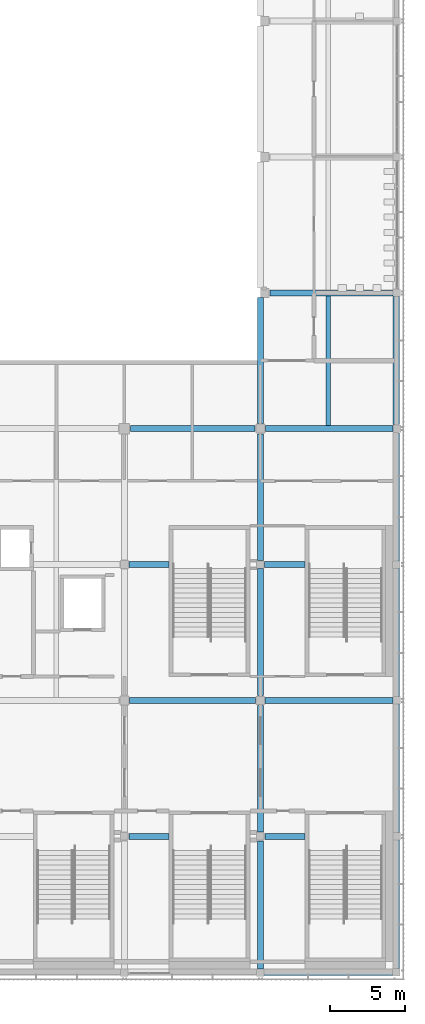
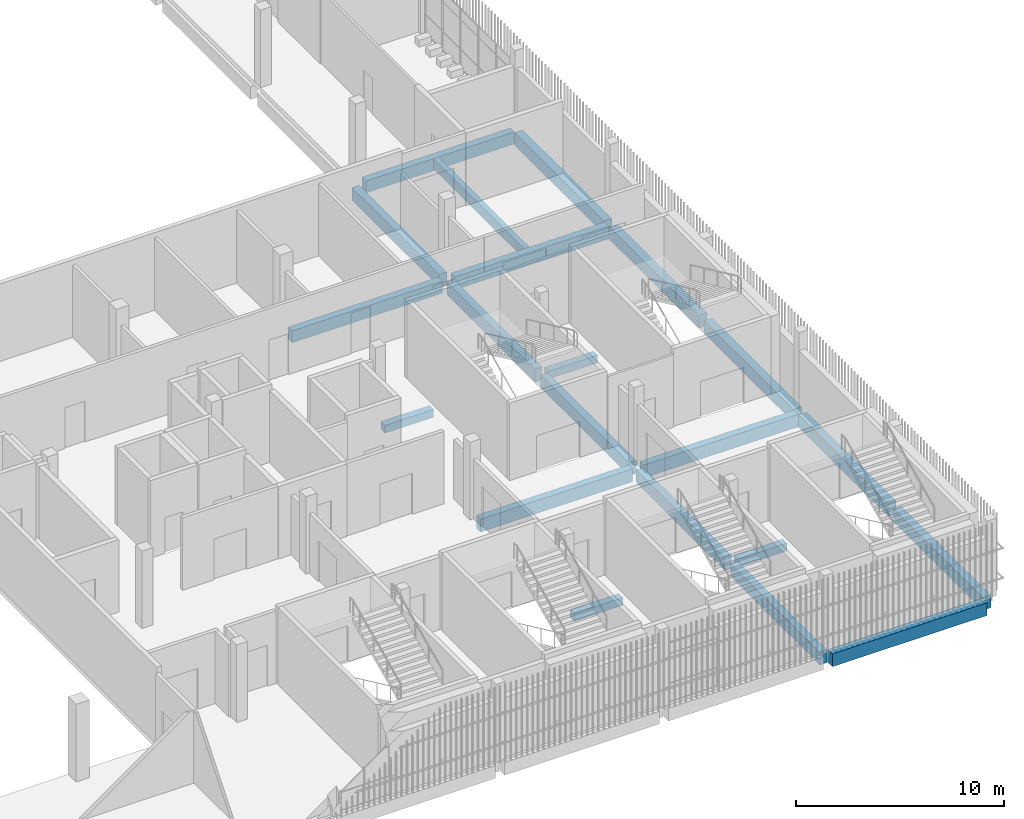
# One storey, part 51 of 124: 21 beams.
"""IFC4 building model written with IfcOpenShell, lengths in metres."""

from ifc_helpers import new_model, si_unit, direction, frame, origin, origin_2d, place, context, subcontext, project, spatial, rectangle, extrude, material, material_profile, profile_set, type_object, element, save


model = new_model("IFC4")

# Units and contexts
model_context = context("Model", 3, precision=1e-05, world=origin(), true_north=direction((0.0, 1.0)))
body_context = subcontext(model_context, "Body", "Model", "MODEL_VIEW")
ifc_project = project(units=[si_unit("LENGTHUNIT", "METRE"), si_unit("AREAUNIT", "SQUARE_METRE"), si_unit("VOLUMEUNIT", "CUBIC_METRE"), si_unit("PLANEANGLEUNIT", "RADIAN"), si_unit("MASSUNIT", "GRAM", prefix="KILO")], contexts=[model_context])

# Site, building, storey
site_placement = place(None, origin())
site = spatial("IfcSite", under=ifc_project, at=site_placement, CompositionType="ELEMENT")
building_placement = place(site_placement, origin())
building = spatial("IfcBuilding", under=site, at=building_placement, Name="Shirokan Park Arena", CompositionType="ELEMENT")
storey_placement = place(building_placement, frame((0.0, 0.0, 20.02001953125)))
storey = spatial("IfcBuildingStorey", under=building, at=storey_placement, Name="L04", CompositionType="ELEMENT", Elevation=20.02001953125)

# Beams
ifc_material = material(Name="Concrete C35", Category="concrete")
ifc_material_profile_1 = material_profile(ifc_material, rectangle(XDim=0.39990234375, YDim=0.699951171875, at=origin_2d()), Name="400x700")
ifc_profile_set_1 = profile_set([ifc_material_profile_1], Name="Concrete C35")
beam_type_1 = type_object("IfcBeamType", Name="RC girder 400x700", PredefinedType="BEAM", material=ifc_profile_set_1)
beam_1_placement = place(storey_placement, frame((127.800048828125, 36.39990234375, -0.60009765625), z_axis=(1.0, 0.0, 0.0), x_axis=(0.0, 1.0, 0.0)))
element("IfcBeam", 1, at=beam_1_placement, inside=storey, type_object=beam_type_1, Name="Girder 15E-16E L04", PredefinedType="BEAM", context=body_context, shape_type="SweptSolid", body=[
    extrude(rectangle(XDim=0.39990234375, YDim=0.699951171875, at=origin_2d()), origin(), (0.0, 0.0, 1.0), 8.349853515625),
])
beam_2_placement = place(storey_placement, frame((137.150146484375, 45.5, -0.60009765625), z_axis=(1.0, 0.0, 0.0), x_axis=(0.0, 1.0, 0.0)))
element("IfcBeam", 2, at=beam_2_placement, inside=storey, type_object=beam_type_1, Name="Girder 16F-17F L04", PredefinedType="BEAM", context=body_context, shape_type="SweptSolid", body=[
    extrude(rectangle(XDim=0.39990234375, YDim=0.699951171875, at=origin_2d()), origin(), (0.0, 0.0, 1.0), 8.249755859375),
])
ifc_material_profile_2 = material_profile(ifc_material, rectangle(XDim=0.39990234375, YDim=0.75, at=origin_2d()), Name="400x750")
ifc_profile_set_2 = profile_set([ifc_material_profile_2], Name="Concrete C35")
beam_type_2 = type_object("IfcBeamType", Name="RC girder 400x750", PredefinedType="BEAM", material=ifc_profile_set_2)
beam_3_placement = place(storey_placement, frame((127.75, 18.199951171875, -0.625), z_axis=(1.0, 0.0, 0.0), x_axis=(0.0, 1.0, 0.0)))
element("IfcBeam", 3, at=beam_3_placement, inside=storey, type_object=beam_type_2, Name="Girder 15C-16C L04", PredefinedType="BEAM", context=body_context, shape_type="SweptSolid", body=[
    extrude(rectangle(XDim=0.39990234375, YDim=0.75, at=origin_2d()), origin(), (0.0, 0.0, 1.0), 8.4248046875),
])
beam_4_placement = place(storey_placement, frame((136.8251953125, 18.199951171875, -0.625), z_axis=(1.0, 0.0, 0.0), x_axis=(0.0, 1.0, 0.0)))
element("IfcBeam", 4, at=beam_4_placement, inside=storey, type_object=beam_type_2, Name="Girder 16C-17C L04", PredefinedType="BEAM", context=body_context, shape_type="SweptSolid", body=[
    extrude(rectangle(XDim=0.39990234375, YDim=0.75, at=origin_2d()), origin(), (0.0, 0.0, 1.0), 8.57470703125),
])
beam_5_placement = place(storey_placement, frame((136.85009765625, 36.39990234375, -0.625), z_axis=(1.0, 0.0, 0.0), x_axis=(0.0, 1.0, 0.0)))
element("IfcBeam", 5, at=beam_5_placement, inside=storey, type_object=beam_type_2, Name="Girder 16E-17E L04", PredefinedType="BEAM", context=body_context, shape_type="SweptSolid", body=[
    extrude(rectangle(XDim=0.39990234375, YDim=0.75, at=origin_2d()), origin(), (0.0, 0.0, 1.0), 8.52490234375),
])
beam_6_placement = place(storey_placement, frame((136.5, 0.2001953125, -0.625), z_axis=(0.0, 1.0, 0.0), x_axis=(-1.0, 0.0, 0.0)))
element("IfcBeam", 6, at=beam_6_placement, inside=storey, type_object=beam_type_2, Name="Girder 16A-16B L04", PredefinedType="BEAM", context=body_context, shape_type="SweptSolid", body=[
    extrude(rectangle(XDim=0.39990234375, YDim=0.75, at=origin_2d()), origin(), (0.0, 0.0, 1.0), 8.599609375),
])
beam_7_placement = place(storey_placement, frame((136.5, 9.400146484375, -0.625), z_axis=(0.0, 1.0, 0.0), x_axis=(-1.0, 0.0, 0.0)))
element("IfcBeam", 7, at=beam_7_placement, inside=storey, type_object=beam_type_2, Name="Girder 16B-16C L04", PredefinedType="BEAM", context=body_context, shape_type="SweptSolid", body=[
    extrude(rectangle(XDim=0.39990234375, YDim=0.75, at=origin_2d()), origin(), (0.0, 0.0, 1.0), 8.474853515625),
])
beam_8_placement = place(storey_placement, frame((136.5, 18.525146484375, -0.625), z_axis=(0.0, 1.0, 0.0), x_axis=(-1.0, 0.0, 0.0)))
element("IfcBeam", 8, at=beam_8_placement, inside=storey, type_object=beam_type_2, Name="Girder 16C-16D L04", PredefinedType="BEAM", context=body_context, shape_type="SweptSolid", body=[
    extrude(rectangle(XDim=0.39990234375, YDim=0.75, at=origin_2d()), origin(), (0.0, 0.0, 1.0), 8.499755859375),
])
beam_9_placement = place(storey_placement, frame((136.5, 27.5751953125, -0.625), z_axis=(0.0, 1.0, 0.0), x_axis=(-1.0, 0.0, 0.0)))
element("IfcBeam", 9, at=beam_9_placement, inside=storey, type_object=beam_type_2, Name="Girder 16D-16E L04", PredefinedType="BEAM", context=body_context, shape_type="SweptSolid", body=[
    extrude(rectangle(XDim=0.39990234375, YDim=0.75, at=origin_2d()), origin(), (0.0, 0.0, 1.0), 8.474609375),
])
beam_10_placement = place(storey_placement, frame((136.5, 36.75, -0.625), z_axis=(0.0, 1.0, 0.0), x_axis=(-1.0, 0.0, 0.0)))
element("IfcBeam", 10, at=beam_10_placement, inside=storey, type_object=beam_type_2, Name="Girder 16E-16F L04", PredefinedType="BEAM", context=body_context, shape_type="SweptSolid", body=[
    extrude(rectangle(XDim=0.39990234375, YDim=0.75, at=origin_2d()), origin(), (0.0, 0.0, 1.0), 8.4248046875),
])
ifc_material_profile_3 = material_profile(ifc_material, rectangle(XDim=0.449951171875, YDim=0.75, at=origin_2d()), Name="450x750")
ifc_profile_set_3 = profile_set([ifc_material_profile_3], Name="Concrete C35")
beam_type_3 = type_object("IfcBeamType", Name="RC girder 450x750", PredefinedType="BEAM", material=ifc_profile_set_3)
for number, where, z_axis, x_axis, name in (
    (11, (136.75, 0.0, -0.625), (1.0, 0.0, 0.0), (0.0, 1.0, 0.0), "Girder 16A-17A L04"),
    (12, (145.60009765625, 0.25, -0.625), (0.0, 1.0, 0.0), (-1.0, 0.0, 0.0), "Girder 17A-17B L04"),
    (13, (145.60009765625, 9.35009765625, -0.625), (0.0, 1.0, 0.0), (-1.0, 0.0, 0.0), "Girder 17B-17C L04"),
):
    element("IfcBeam", number, at=place(storey_placement, frame(where, z_axis=z_axis, x_axis=x_axis)), inside=storey, type_object=beam_type_3, Name=name, PredefinedType="BEAM", context=body_context, shape_type="SweptSolid", body=[
        extrude(rectangle(XDim=0.449951171875, YDim=0.75, at=origin_2d()), origin(), (0.0, 0.0, 1.0), 8.599853515625),
    ])
beam_11_placement = place(storey_placement, frame((145.60009765625, 18.4501953125, -0.625), z_axis=(0.0, 1.0, 0.0), x_axis=(-1.0, 0.0, 0.0)))
element("IfcBeam", 14, at=beam_11_placement, inside=storey, type_object=beam_type_3, Name="Girder 17C-17D L04", PredefinedType="BEAM", context=body_context, shape_type="SweptSolid", body=[
    extrude(rectangle(XDim=0.449951171875, YDim=0.75, at=origin_2d()), origin(), (0.0, 0.0, 1.0), 8.599609375),
])
for number, where, z_axis, x_axis, name in (
    (15, (145.60009765625, 27.550048828125, -0.625), (0.0, 1.0, 0.0), (-1.0, 0.0, 0.0), "Girder 17D-17E L04"),
    (16, (145.60009765625, 36.675048828125, -0.625), (0.0, 1.0, 0.0), (-1.0, 0.0, 0.0), "Girder 17E-17F L04"),
):
    element("IfcBeam", number, at=place(storey_placement, frame(where, z_axis=z_axis, x_axis=x_axis)), inside=storey, type_object=beam_type_3, Name=name, PredefinedType="BEAM", context=body_context, shape_type="SweptSolid", body=[
        extrude(rectangle(XDim=0.449951171875, YDim=0.75, at=origin_2d()), origin(), (0.0, 0.0, 1.0), 8.574951171875),
    ])
ifc_material_profile_4 = material_profile(ifc_material, rectangle(XDim=0.300048828125, YDim=0.60009765625, at=origin_2d()), Name="300x600")
ifc_profile_set_4 = profile_set([ifc_material_profile_4], Name="Concrete C35")
beam_type_4 = type_object("IfcBeamType", Name="RC joist 300x600", PredefinedType="JOIST", material=ifc_profile_set_4)
beam_12_placement = place(storey_placement, frame((141.050048828125, 36.60009765625, -0.550048828125), z_axis=(0.0, 1.0, 0.0), x_axis=(-1.0, 0.0, 0.0)))
element("IfcBeam", 17, at=beam_12_placement, inside=storey, type_object=beam_type_4, Name="Joist 17E L04", PredefinedType="JOIST", context=body_context, shape_type="SweptSolid", body=[
    extrude(rectangle(XDim=0.300048828125, YDim=0.60009765625, at=origin_2d()), origin(), (0.0, 0.0, 1.0), 8.699951171875),
])
ifc_material_profile_5 = material_profile(ifc_material, rectangle(XDim=0.39990234375, YDim=0.449951171875, at=origin_2d()), Name="400x450")
ifc_profile_set_5 = profile_set([ifc_material_profile_5], Name="Concrete C35")
beam_type_5 = type_object("IfcBeamType", Name="RC trimmer 400x450", PredefinedType="BEAM", material=ifc_profile_set_5)
for number, where, z_axis, x_axis, name in (
    (18, (127.7001953125, 9.10009765625, -0.47509765625), (1.0, 0.0, 0.0), (0.0, 1.0, 0.0), "Girder 15B-16B L04"),
    (19, (127.7001953125, 27.300048828125, -0.47509765625), (1.0, 0.0, 0.0), (0.0, 1.0, 0.0), "Girder 15D-16D L04"),
):
    element("IfcBeam", number, at=place(storey_placement, frame(where, z_axis=z_axis, x_axis=x_axis)), inside=storey, type_object=beam_type_5, Name=name, PredefinedType="BEAM", context=body_context, shape_type="SweptSolid", body=[
        extrude(rectangle(XDim=0.39990234375, YDim=0.449951171875, at=origin_2d()), origin(), (0.0, 0.0, 1.0), 2.69970703125),
    ])
beam_13_placement = place(storey_placement, frame((136.800048828125, 9.10009765625, -0.47509765625), z_axis=(1.0, 0.0, 0.0), x_axis=(0.0, 1.0, 0.0)))
element("IfcBeam", 20, at=beam_13_placement, inside=storey, type_object=beam_type_5, Name="Girder 16B-17B L04", PredefinedType="BEAM", context=body_context, shape_type="SweptSolid", body=[
    extrude(rectangle(XDim=0.39990234375, YDim=0.449951171875, at=origin_2d()), origin(), (0.0, 0.0, 1.0), 2.699951171875),
])
beam_14_placement = place(storey_placement, frame((136.775146484375, 27.300048828125, -0.47509765625), z_axis=(1.0, 0.0, 0.0), x_axis=(0.0, 1.0, 0.0)))
element("IfcBeam", 21, at=beam_14_placement, inside=storey, type_object=beam_type_5, Name="Girder 16D-17D L04", PredefinedType="BEAM", context=body_context, shape_type="SweptSolid", body=[
    extrude(rectangle(XDim=0.39990234375, YDim=0.449951171875, at=origin_2d()), origin(), (0.0, 0.0, 1.0), 2.724853515625),
])

save(model, "model.ifc")
